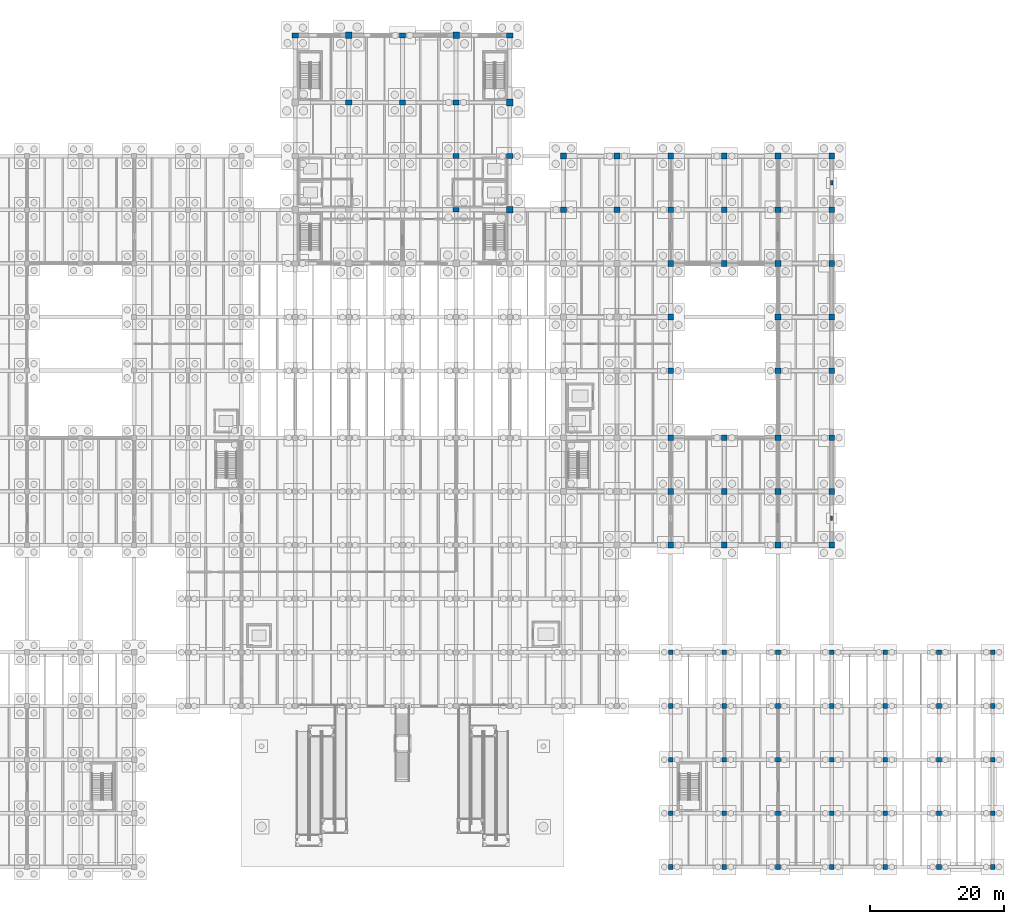
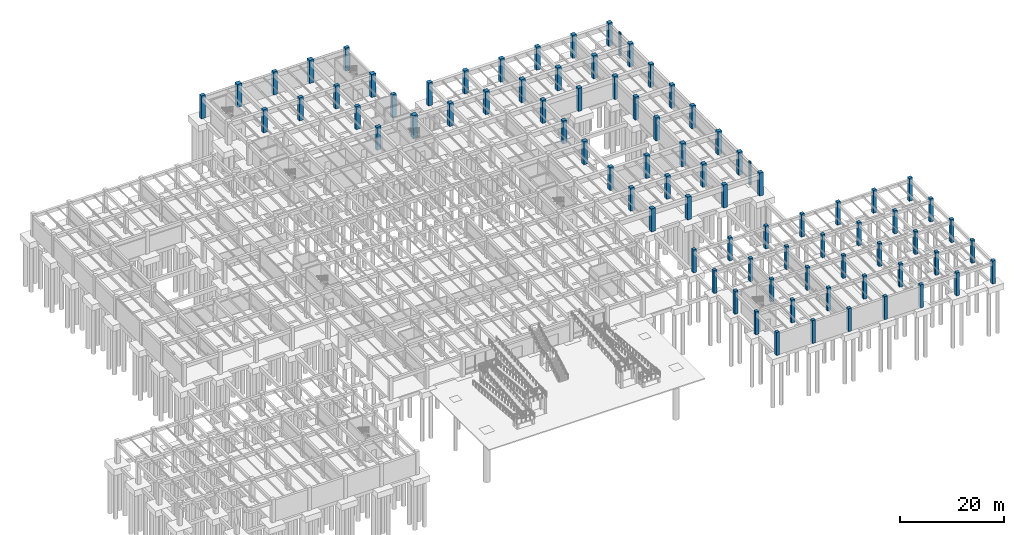
# One storey, part 11 of 44: 84 columns.
"""IFC4 building model written with IfcOpenShell, lengths in metres."""

import ifcopenshell
import ifcopenshell.guid

model = None  # the IFC model being written
_history = None  # IfcOwnerHistory: only IFC2X3 demands one
_inside = {}  # id of a spatial element -> (the spatial element, [elements in it])
_under = {}  # id of a project, library or spatial element -> (it, [spatial elements below it])
_declared = {}  # id of a project -> (the project, [libraries it declares])
_typed = {}  # id of a type object -> (the type object, [elements of that type])
_made_of = {}  # id of a material, layer set ... -> (it, [elements and type objects made of it])


def new_model(schema):
    """Start an empty IFC model of exactly this schema.

    Asked for "IFC4X3", IfcOpenShell would pick the latest addendum, in which some entities
    have other attributes; the version numbers below select the first issue.
    IFC2X3 requires an IfcOwnerHistory on every rooted entity: one is made here for all.
    """
    global model, _history
    if schema == "IFC4X3":
        model = ifcopenshell.file(schema_version=(4, 3, 0, 0))
    else:
        model = ifcopenshell.file(schema=schema)
    _inside.clear()
    _under.clear()
    _declared.clear()
    _typed.clear()
    _made_of.clear()
    _history = None
    if model.schema == "IFC2X3":
        org = make("IfcOrganization", Name="unknown")
        user = make(
            "IfcPersonAndOrganization",
            ThePerson=make("IfcPerson", FamilyName="unknown"),
            TheOrganization=org,
        )
        app = make(
            "IfcApplication",
            ApplicationDeveloper=org,
            Version="unknown",
            ApplicationFullName="unknown",
            ApplicationIdentifier="unknown",
        )
        _history = make(
            "IfcOwnerHistory",
            OwningUser=user,
            OwningApplication=app,
            ChangeAction="ADDED",
            CreationDate=0,
        )
    return model


def make(cls, **values):
    """One entity of the class cls with the attributes given. An attribute that is None is left unset."""
    return model.create_entity(
        cls, **{name: value for name, value in values.items() if value is not None}
    )


def rooted(cls, **values):
    """An entity with a GlobalId (a new one), such as an element, a storey or a relation."""
    return make(cls, GlobalId=ifcopenshell.guid.new(), OwnerHistory=_history, **values)


def si_unit(unit_type, name, prefix=None):
    """IfcSIUnit, for example si_unit("LENGTHUNIT", "METRE", prefix="MILLI")."""
    return make("IfcSIUnit", UnitType=unit_type, Prefix=prefix, Name=name)


def assignment(units):
    """IfcUnitAssignment: the units of a project."""
    return None if units is None else make("IfcUnitAssignment", Units=units)


def point(xyz):
    """IfcCartesianPoint."""
    return None if xyz is None else make("IfcCartesianPoint", Coordinates=xyz)


def direction(xyz):
    """IfcDirection."""
    return None if xyz is None else make("IfcDirection", DirectionRatios=xyz)


def frame(location, z_axis=None, x_axis=None):
    """IfcAxis2Placement3D, a coordinate frame: its origin and axes. An axis left out is left unset."""
    return make(
        "IfcAxis2Placement3D",
        Location=point(location),
        Axis=direction(z_axis),
        RefDirection=direction(x_axis),
    )


def frame_2d(location, x_axis=None):
    """IfcAxis2Placement2D, a coordinate frame in the plane: its origin and x axis."""
    return make(
        "IfcAxis2Placement2D", Location=point(location), RefDirection=direction(x_axis)
    )


def origin():
    """The frame at (0, 0, 0) with its axes left unset."""
    return frame((0.0, 0.0, 0.0))


def origin_2d():
    """The frame at (0, 0) in the plane with its x axis left unset."""
    return frame_2d((0.0, 0.0))


def place(relative_to, where):
    """IfcLocalPlacement: puts the frame where relative to a parent placement (None: the world)."""
    return make(
        "IfcLocalPlacement", PlacementRelTo=relative_to, RelativePlacement=where
    )


def context(
    kind, dimensions, precision=None, world=None, true_north=None, identifier=None
):
    """IfcGeometricRepresentationContext, for example the 3D "Model" context."""
    return make(
        "IfcGeometricRepresentationContext",
        ContextIdentifier=identifier,
        ContextType=kind,
        CoordinateSpaceDimension=dimensions,
        Precision=precision,
        WorldCoordinateSystem=world,
        TrueNorth=true_north,
    )


def subcontext(parent, identifier, kind, view, scale=None):
    """IfcGeometricRepresentationSubContext, for example "Body" below "Model"."""
    return make(
        "IfcGeometricRepresentationSubContext",
        ContextIdentifier=identifier,
        ContextType=kind,
        ParentContext=parent,
        TargetScale=scale,
        TargetView=view,
    )


def project(units=None, contexts=None):
    """IfcProject with its units and contexts."""
    return rooted(
        "IfcProject",
        Name="project",
        RepresentationContexts=contexts,
        UnitsInContext=assignment(units),
    )


def spatial(cls, under=None, at=None, **own):
    """A site, building, storey or space (cls), placed at a placement, below another one or the project."""
    s = rooted(cls, ObjectPlacement=at, **own)
    if under is not None:
        _under.setdefault(under.id(), (under, []))[1].append(s)
    return s


def profile(cls, at=None, kind="AREA", **sizes):
    """A parametric profile (cls). Its sizes go by their IFC names, for example OverallWidth=200.0."""
    return make(cls, ProfileType=kind, Position=at, **sizes)


def rectangle(**sizes):
    """IfcRectangleProfileDef."""
    return profile("IfcRectangleProfileDef", **sizes)


def extrude(swept, where, along, depth):
    """IfcExtrudedAreaSolid: the profile swept, set in the frame where, extruded along a direction by depth."""
    return make(
        "IfcExtrudedAreaSolid",
        SweptArea=swept,
        Position=where,
        ExtrudedDirection=direction(along),
        Depth=depth,
    )


def shape(context_of_items, identifier, shape_type, items):
    """IfcShapeRepresentation: the items that make up one representation, for example the "Body"."""
    return make(
        "IfcShapeRepresentation",
        ContextOfItems=context_of_items,
        RepresentationIdentifier=identifier,
        RepresentationType=shape_type,
        Items=items,
    )


def material(Name=None, Category=None):
    """IfcMaterial."""
    return make("IfcMaterial", Name=Name, Category=Category)


def material_profile(
    of_material, cross_section, Name=None, Category=None, Priority=None
):
    """IfcMaterialProfile: a cross section and its material."""
    return make(
        "IfcMaterialProfile",
        Name=Name,
        Material=of_material,
        Profile=cross_section,
        Priority=Priority,
        Category=Category,
    )


def profile_set(profiles, Name=None, composite=None):
    """IfcMaterialProfileSet."""
    return make(
        "IfcMaterialProfileSet",
        Name=Name,
        MaterialProfiles=profiles,
        CompositeProfile=composite,
    )


def made_of(thing, what):
    """Note that an element or type object is made of a material, layer set ...; save() writes the relation."""
    if what is not None:
        _made_of.setdefault(what.id(), (what, []))[1].append(thing)
    return thing


def type_object(cls, material=None, **own):
    """A type object (cls), such as IfcWallType, which elements share."""
    return made_of(rooted(cls, **own), material)


def element(
    cls,
    number,
    at=None,
    inside=None,
    cuts=None,
    type_object=None,
    material=None,
    context=None,
    identifier="Body",
    shape_type=None,
    held_by="IfcProductDefinitionShape",
    body=None,
    shapes=None,
    **own,
):
    """One element of the class cls, such as IfcWall. Its Tag is "e" and its number.

    at: its placement. inside: the storey or other place that contains it. cuts: it is an
    opening in that element (IfcRelVoidsElement). A single representation is given by context,
    identifier, shape_type and body (its items); several are given by shapes. held_by: the class
    of the entity that holds the representations. save() writes the other relations.
    """
    e = rooted(cls, Tag="e%d" % number, ObjectPlacement=at, **own)
    if body is not None:
        shapes = [shape(context, identifier, shape_type, body)]
    if shapes is not None:
        e.Representation = make(held_by, Representations=shapes)
    if inside is not None:
        _inside.setdefault(inside.id(), (inside, []))[1].append(e)
    if cuts is not None:
        rooted(
            "IfcRelVoidsElement", RelatingBuildingElement=cuts, RelatedOpeningElement=e
        )
    if type_object is not None:
        _typed.setdefault(type_object.id(), (type_object, []))[1].append(e)
    return made_of(e, material)


def aggregate(whole, parts):
    """IfcRelAggregates: a whole, such as a stair, and the parts it consists of."""
    return rooted("IfcRelAggregates", RelatingObject=whole, RelatedObjects=parts)


def save(model, path):
    """Write the relations noted so far, then the file.

    IfcRelAggregates (storeys below a building ...), IfcRelContainedInSpatialStructure (elements
    in a storey), IfcRelDefinesByType, IfcRelAssociatesMaterial and IfcRelDeclares: one each for
    every whole, place, type object, material and project.
    """
    for whole, parts in _under.values():
        aggregate(whole, parts)
    for where, things in _inside.values():
        rooted(
            "IfcRelContainedInSpatialStructure",
            RelatedElements=things,
            RelatingStructure=where,
        )
    for kind, things in _typed.values():
        rooted("IfcRelDefinesByType", RelatedObjects=things, RelatingType=kind)
    for what, things in _made_of.values():
        rooted("IfcRelAssociatesMaterial", RelatedObjects=things, RelatingMaterial=what)
    for by, libraries in _declared.values():
        rooted("IfcRelDeclares", RelatingContext=by, RelatedDefinitions=libraries)
    model.write(path)


model = new_model("IFC4")

# Units and contexts
model_context = context("Model", 3, precision=1e-05, world=origin(), true_north=direction((0.0, 1.0)))
body_context = subcontext(model_context, "Body", "Model", "MODEL_VIEW")
ifc_project = project(units=[si_unit("LENGTHUNIT", "METRE"), si_unit("AREAUNIT", "SQUARE_METRE"), si_unit("VOLUMEUNIT", "CUBIC_METRE"), si_unit("PLANEANGLEUNIT", "RADIAN"), si_unit("MASSUNIT", "GRAM", prefix="KILO")], contexts=[model_context])

# Site, building, storey
site_placement = place(None, origin())
site = spatial("IfcSite", under=ifc_project, at=site_placement, CompositionType="ELEMENT")
building_placement = place(site_placement, origin())
building = spatial("IfcBuilding", under=site, at=building_placement, Name="Pecanmere Concourse Central Library", CompositionType="ELEMENT")
storey_placement = place(building_placement, frame((0.0, 0.0, -5.39990234375)))
storey = spatial("IfcBuildingStorey", under=building, at=storey_placement, Name="B1", CompositionType="ELEMENT", Elevation=-5.39990234375)

# Columns
ifc_material_1 = material(Name="Concrete C40/50", Category="concrete")
ifc_material_profile_1 = material_profile(ifc_material_1, rectangle(XDim=0.699951171875, YDim=0.699951171875, at=origin_2d()), Name="RC 700x700")
ifc_profile_set_1 = profile_set([ifc_material_profile_1], Name="Concrete C40/50")
column_type_1 = type_object("IfcColumnType", Name="COL_RC_700x700", PredefinedType="COLUMN", material=ifc_profile_set_1)
for number, where, z_axis, x_axis, name in (
    (1, (128.0, 0.0, 0.0), (0.0, 0.0, 1.0), (1.0, 0.0, 0.0), "Column C-06 B1-175"),
    (2, (128.0, 8.0, 0.0), (0.0, 0.0, 1.0), (1.0, 0.0, 0.0), "Column C-06 B1-176"),
    (3, (128.0, 16.0, 0.0), (0.0, 0.0, 1.0), (1.0, 0.0, 0.0), "Column C-06 B1-177"),
    (4, (128.0, 24.0, 0.0), (0.0, 0.0, 1.0), (1.0, 0.0, 0.0), "Column C-06 B1-178"),
    (5, (128.0, 32.0, 0.0), (0.0, 0.0, 1.0), (1.0, 0.0, 0.0), "Column C-06 B1-179"),
    (6, (136.0, 0.0, 0.0), (0.0, 0.0, 1.0), (1.0, 0.0, 0.0), "Column C-06 B1-188"),
    (7, (136.0, 8.0, 0.0), (0.0, 0.0, 1.0), (1.0, 0.0, 0.0), "Column C-06 B1-189"),
    (8, (136.0, 16.0, 0.0), (0.0, 0.0, 1.0), (1.0, 0.0, 0.0), "Column C-06 B1-190"),
    (9, (136.0, 24.0, 0.0), (0.0, 0.0, 1.0), (1.0, 0.0, 0.0), "Column C-06 B1-191"),
    (10, (136.0, 32.0, 0.0), (0.0, 0.0, 1.0), (1.0, 0.0, 0.0), "Column C-06 B1-192"),
    (11, (144.0, 0.0, 0.0), (0.0, 0.0, 1.0), (1.0, 0.0, 0.0), "Column C-06 B1-199"),
    (12, (144.0, 8.0, 0.0), (0.0, 0.0, 1.0), (1.0, 0.0, 0.0), "Column C-06 B1-200"),
    (13, (144.0, 16.0, 0.0), (0.0, 0.0, 1.0), (1.0, 0.0, 0.0), "Column C-06 B1-201"),
    (14, (144.0, 24.0, 0.0), (0.0, 0.0, 1.0), (1.0, 0.0, 0.0), "Column C-06 B1-202"),
    (15, (144.0, 32.0, 0.0), (0.0, 0.0, 1.0), (1.0, 0.0, 0.0), "Column C-06 B1-203"),
    (16, (152.0, 0.0, 0.0), (0.0, 0.0, 1.0), (1.0, 0.0, 0.0), "Column C-06 B1-212"),
    (17, (152.0, 8.0, 0.0), (0.0, 0.0, 1.0), (1.0, 0.0, 0.0), "Column C-06 B1-213"),
    (18, (152.0, 16.0, 0.0), (0.0, 0.0, 1.0), (1.0, 0.0, 0.0), "Column C-06 B1-214"),
    (19, (152.0, 24.0, 0.0), (0.0, 0.0, 1.0), (1.0, 0.0, 0.0), "Column C-06 B1-215"),
    (20, (152.0, 32.0, 0.0), (0.0, 0.0, 1.0), (1.0, 0.0, 0.0), "Column C-06 B1-216"),
    (21, (160.0, 0.0, 0.0), (0.0, 0.0, 1.0), (1.0, 0.0, 0.0), "Column C-06 B1-225"),
    (22, (160.0, 8.0, 0.0), (0.0, 0.0, 1.0), (1.0, 0.0, 0.0), "Column C-06 B1-226"),
    (23, (160.0, 16.0, 0.0), (0.0, 0.0, 1.0), (1.0, 0.0, 0.0), "Column C-06 B1-227"),
    (24, (160.0, 24.0, 0.0), (0.0, 0.0, 1.0), (1.0, 0.0, 0.0), "Column C-06 B1-228"),
    (25, (160.0, 32.0, 0.0), (0.0, 0.0, 1.0), (1.0, 0.0, 0.0), "Column C-06 B1-229"),
    (26, (168.0, 0.0, 0.0), (0.0, 0.0, 1.0), (1.0, 0.0, 0.0), "Column C-06 B1-230"),
    (27, (168.0, 8.0, 0.0), (0.0, 0.0, 1.0), (1.0, 0.0, 0.0), "Column C-06 B1-231"),
    (28, (168.0, 16.0, 0.0), (0.0, 0.0, 1.0), (1.0, 0.0, 0.0), "Column C-06 B1-232"),
    (29, (168.0, 24.0, 0.0), (0.0, 0.0, 1.0), (1.0, 0.0, 0.0), "Column C-06 B1-233"),
    (30, (168.0, 32.0, 0.0), (0.0, 0.0, 1.0), (1.0, 0.0, 0.0), "Column C-06 B1-234"),
    (31, (176.0, 0.0, 0.0), (0.0, 0.0, 1.0), (1.0, 0.0, 0.0), "Column C-06 B1-235"),
    (32, (176.0, 8.0, 0.0), (0.0, 0.0, 1.0), (1.0, 0.0, 0.0), "Column C-06 B1-236"),
    (33, (176.0, 16.0, 0.0), (0.0, 0.0, 1.0), (1.0, 0.0, 0.0), "Column C-06 B1-237"),
    (34, (176.0, 24.0, 0.0), (0.0, 0.0, 1.0), (1.0, 0.0, 0.0), "Column C-06 B1-238"),
    (35, (176.0, 32.0, 0.0), (0.0, 0.0, 1.0), (1.0, 0.0, 0.0), "Column C-06 B1-239"),
):
    element("IfcColumn", number, at=place(storey_placement, frame(where, z_axis=z_axis, x_axis=x_axis)), inside=storey, type_object=column_type_1, Name=name, PredefinedType="COLUMN", context=body_context, shape_type="SweptSolid", body=[
        extrude(rectangle(XDim=0.699951171875, YDim=0.699951171875, at=origin_2d()), origin(), (0.0, 0.0, 1.0), 5.39990234375),
    ])
ifc_material_2 = material(Name="Concrete C40/50", Category="concrete")
ifc_material_profile_2 = material_profile(ifc_material_2, rectangle(XDim=0.860107421875, YDim=0.860107421875, at=origin_2d()), Name="RC 860x860")
ifc_profile_set_2 = profile_set([ifc_material_profile_2], Name="Concrete C40/50")
column_type_2 = type_object("IfcColumnType", Name="COL_RC_860x860", PredefinedType="COLUMN", material=ifc_profile_set_2)
for number, where, z_axis, x_axis, name in (
    (36, (112.0, 98.0, 0.0), (0.0, 0.0, 1.0), (1.0, 0.0, 0.0), "Column C-03 B1-162"),
    (37, (112.0, 106.0, 0.0), (0.0, 0.0, 1.0), (1.0, 0.0, 0.0), "Column C-03 B1-163"),
    (38, (120.0, 98.0, 0.0), (0.0, 0.0, 1.0), (1.0, 0.0, 0.0), "Column C-03 B1-173"),
    (39, (120.0, 106.0, 0.0), (0.0, 0.0, 1.0), (1.0, 0.0, 0.0), "Column C-03 B1-174"),
    (40, (128.0, 48.0, 0.0), (0.0, 0.0, 1.0), (1.0, 0.0, 0.0), "Column C-03 B1-180"),
    (41, (128.0, 56.0, 0.0), (0.0, 0.0, 1.0), (1.0, 0.0, 0.0), "Column C-03 B1-181"),
    (42, (128.0, 64.0, 0.0), (0.0, 0.0, 1.0), (1.0, 0.0, 0.0), "Column C-03 B1-182"),
    (43, (128.0, 74.0, 0.0), (0.0, 0.0, 1.0), (1.0, 0.0, 0.0), "Column C-03 B1-183"),
    (44, (128.0, 82.0, 0.0), (0.0, 0.0, 1.0), (1.0, 0.0, 0.0), "Column C-03 B1-184"),
    (45, (128.0, 90.0, 0.0), (0.0, 0.0, 1.0), (1.0, 0.0, 0.0), "Column C-03 B1-185"),
    (46, (128.0, 98.0, 0.0), (0.0, 0.0, 1.0), (1.0, 0.0, 0.0), "Column C-03 B1-186"),
    (47, (128.0, 106.0, 0.0), (0.0, 0.0, 1.0), (1.0, 0.0, 0.0), "Column C-03 B1-187"),
    (48, (136.0, 48.0, 0.0), (0.0, 0.0, 1.0), (1.0, 0.0, 0.0), "Column C-03 B1-193"),
    (49, (136.0, 56.0, 0.0), (0.0, 0.0, 1.0), (1.0, 0.0, 0.0), "Column C-03 B1-194"),
    (50, (136.0, 64.0, 0.0), (0.0, 0.0, 1.0), (1.0, 0.0, 0.0), "Column C-03 B1-195"),
    (51, (136.0, 90.0, 0.0), (0.0, 0.0, 1.0), (1.0, 0.0, 0.0), "Column C-03 B1-196"),
    (52, (136.0, 98.0, 0.0), (0.0, 0.0, 1.0), (1.0, 0.0, 0.0), "Column C-03 B1-197"),
    (53, (136.0, 106.0, 0.0), (0.0, 0.0, 1.0), (1.0, 0.0, 0.0), "Column C-03 B1-198"),
    (54, (144.0, 48.0, 0.0), (0.0, 0.0, 1.0), (1.0, 0.0, 0.0), "Column C-03 B1-204"),
    (55, (144.0, 56.0, 0.0), (0.0, 0.0, 1.0), (1.0, 0.0, 0.0), "Column C-03 B1-205"),
    (56, (144.0, 64.0, 0.0), (0.0, 0.0, 1.0), (1.0, 0.0, 0.0), "Column C-03 B1-206"),
    (57, (144.0, 74.0, 0.0), (0.0, 0.0, 1.0), (1.0, 0.0, 0.0), "Column C-03 B1-207"),
    (58, (144.0, 82.0, 0.0), (0.0, 0.0, 1.0), (1.0, 0.0, 0.0), "Column C-03 B1-208"),
    (59, (144.0, 90.0, 0.0), (0.0, 0.0, 1.0), (1.0, 0.0, 0.0), "Column C-03 B1-209"),
    (60, (144.0, 98.0, 0.0), (0.0, 0.0, 1.0), (1.0, 0.0, 0.0), "Column C-03 B1-210"),
    (61, (144.0, 106.0, 0.0), (0.0, 0.0, 1.0), (1.0, 0.0, 0.0), "Column C-03 B1-211"),
    (62, (152.0, 48.0, 0.0), (0.0, 0.0, 1.0), (1.0, 0.0, 0.0), "Column C-03 B1-217"),
    (63, (152.0, 56.0, 0.0), (0.0, 0.0, 1.0), (1.0, 0.0, 0.0), "Column C-03 B1-218"),
    (64, (152.0, 64.0, 0.0), (0.0, 0.0, 1.0), (1.0, 0.0, 0.0), "Column C-03 B1-219"),
    (65, (152.0, 74.0, 0.0), (0.0, 0.0, 1.0), (1.0, 0.0, 0.0), "Column C-03 B1-220"),
    (66, (152.0, 82.0, 0.0), (0.0, 0.0, 1.0), (1.0, 0.0, 0.0), "Column C-03 B1-221"),
    (67, (152.0, 90.0, 0.0), (0.0, 0.0, 1.0), (1.0, 0.0, 0.0), "Column C-03 B1-222"),
    (68, (152.0, 98.0, 0.0), (0.0, 0.0, 1.0), (1.0, 0.0, 0.0), "Column C-03 B1-223"),
    (69, (152.0, 106.0, 0.0), (0.0, 0.0, 1.0), (1.0, 0.0, 0.0), "Column C-03 B1-224"),
):
    element("IfcColumn", number, at=place(storey_placement, frame(where, z_axis=z_axis, x_axis=x_axis)), inside=storey, type_object=column_type_2, Name=name, PredefinedType="COLUMN", context=body_context, shape_type="SweptSolid", body=[
        extrude(rectangle(XDim=0.860107421875, YDim=0.860107421875, at=origin_2d()), origin(), (0.0, 0.0, 1.0), 5.39990234375),
    ])
ifc_material_3 = material(Name="Concrete C40/50", Category="concrete")
ifc_material_profile_3 = material_profile(ifc_material_3, rectangle(XDim=0.919921875, YDim=0.719970703125, at=origin_2d()), Name="RC 920x720")
ifc_profile_set_3 = profile_set([ifc_material_profile_3], Name="Concrete C40/50")
column_type_3 = type_object("IfcColumnType", Name="COL_RC_920x720", PredefinedType="COLUMN", material=ifc_profile_set_3)
for number, where, z_axis, x_axis, name in (
    (70, (72.0, 124.0, 0.0), (0.0, 0.0, 1.0), (1.0, 0.0, 0.0), "Column C-13 B1-100"),
    (71, (80.0, 114.0, 0.0), (0.0, 0.0, 1.0), (1.0, 0.0, 0.0), "Column C-13 B1-112"),
    (72, (88.0, 114.0, 0.0), (0.0, 0.0, 1.0), (1.0, 0.0, 0.0), "Column C-13 B1-125"),
    (73, (88.0, 124.0, 0.0), (0.0, 0.0, 1.0), (1.0, 0.0, 0.0), "Column C-13 B1-126"),
    (74, (96.0, 98.0, 0.0), (0.0, 0.0, 1.0), (1.0, 0.0, 0.0), "Column C-13 B1-136"),
    (75, (96.0, 106.0, 0.0), (0.0, 0.0, 1.0), (1.0, 0.0, 0.0), "Column C-13 B1-137"),
    (76, (96.0, 114.0, 0.0), (0.0, 0.0, 1.0), (1.0, 0.0, 0.0), "Column C-13 B1-138"),
    (77, (104.0, 106.0, 0.0), (0.0, 0.0, 1.0), (1.0, 0.0, 0.0), "Column C-13 B1-150"),
    (78, (104.0, 124.0, 0.0), (0.0, 0.0, 1.0), (1.0, 0.0, 0.0), "Column C-13 B1-152"),
):
    element("IfcColumn", number, at=place(storey_placement, frame(where, z_axis=z_axis, x_axis=x_axis)), inside=storey, type_object=column_type_3, Name=name, PredefinedType="COLUMN", context=body_context, shape_type="SweptSolid", body=[
        extrude(rectangle(XDim=0.919921875, YDim=0.719970703125, at=origin_2d()), origin(), (0.0, 0.0, 1.0), 5.39990234375),
    ])
ifc_material_4 = material(Name="Concrete C40/50", Category="concrete")
ifc_material_profile_4 = material_profile(ifc_material_4, rectangle(XDim=0.97998046875, YDim=0.97998046875, at=origin_2d()), Name="RC 980x980")
ifc_profile_set_4 = profile_set([ifc_material_profile_4], Name="Concrete C40/50")
column_type_4 = type_object("IfcColumnType", Name="COL_RC_980x980", PredefinedType="COLUMN", material=ifc_profile_set_4)
for number, where, z_axis, x_axis, name in (
    (79, (80.0, 124.0, 0.0), (0.0, 0.0, 1.0), (1.0, 0.0, 0.0), "Column C-01 B1-113"),
    (80, (96.0, 124.0, 0.0), (0.0, 0.0, 1.0), (1.0, 0.0, 0.0), "Column C-01 B1-139"),
    (81, (104.0, 98.0, 0.0), (0.0, 0.0, 1.0), (1.0, 0.0, 0.0), "Column C-01 B1-149"),
    (82, (104.0, 114.0, 0.0), (0.0, 0.0, 1.0), (1.0, 0.0, 0.0), "Column C-01 B1-151"),
):
    element("IfcColumn", number, at=place(storey_placement, frame(where, z_axis=z_axis, x_axis=x_axis)), inside=storey, type_object=column_type_4, Name=name, PredefinedType="COLUMN", context=body_context, shape_type="SweptSolid", body=[
        extrude(rectangle(XDim=0.97998046875, YDim=0.97998046875, at=origin_2d()), origin(), (0.0, 0.0, 1.0), 5.39990234375),
    ])
ifc_material_5 = material(Name="Precast concrete C40/50", Category="concrete")
ifc_material_profile_5 = material_profile(ifc_material_5, rectangle(XDim=0.6201171875, YDim=0.31005859375, at=origin_2d()), Name="RC 620x310")
ifc_profile_set_5 = profile_set([ifc_material_profile_5], Name="Precast concrete C40/50")
column_type_5 = type_object("IfcColumnType", Name="PIL_620x310", PredefinedType="PILASTER", material=ifc_profile_set_5)
column_1_placement = place(storey_placement, frame((152.0, 52.0, 0.0), z_axis=(0.0, 0.0, 1.0), x_axis=(0.0, 1.0, 0.0)))
element("IfcColumn", 83, at=column_1_placement, inside=storey, type_object=column_type_5, Name="Classical Limestone Pilaster B1-03", PredefinedType="PILASTER", context=body_context, shape_type="SweptSolid", body=[
    extrude(rectangle(XDim=0.6201171875, YDim=0.31005859375, at=origin_2d()), origin(), (0.0, 0.0, 1.0), 5.39990234375),
])
ifc_material_6 = material(Name="Precast concrete C40/50", Category="concrete")
ifc_material_profile_6 = material_profile(ifc_material_6, rectangle(XDim=0.679931640625, YDim=0.340087890625, at=origin_2d()), Name="RC 680x340")
ifc_profile_set_6 = profile_set([ifc_material_profile_6], Name="Precast concrete C40/50")
column_type_6 = type_object("IfcColumnType", Name="PIL_680x340", PredefinedType="PILASTER", material=ifc_profile_set_6)
column_2_placement = place(storey_placement, frame((152.0, 102.0, 0.0), z_axis=(0.0, 0.0, 1.0), x_axis=(0.0, 1.0, 0.0)))
element("IfcColumn", 84, at=column_2_placement, inside=storey, type_object=column_type_6, Name="Classical Limestone Pilaster B1-04", PredefinedType="PILASTER", context=body_context, shape_type="SweptSolid", body=[
    extrude(rectangle(XDim=0.679931640625, YDim=0.340087890625, at=origin_2d()), origin(), (0.0, 0.0, 1.0), 5.39990234375),
])

save(model, "model.ifc")
